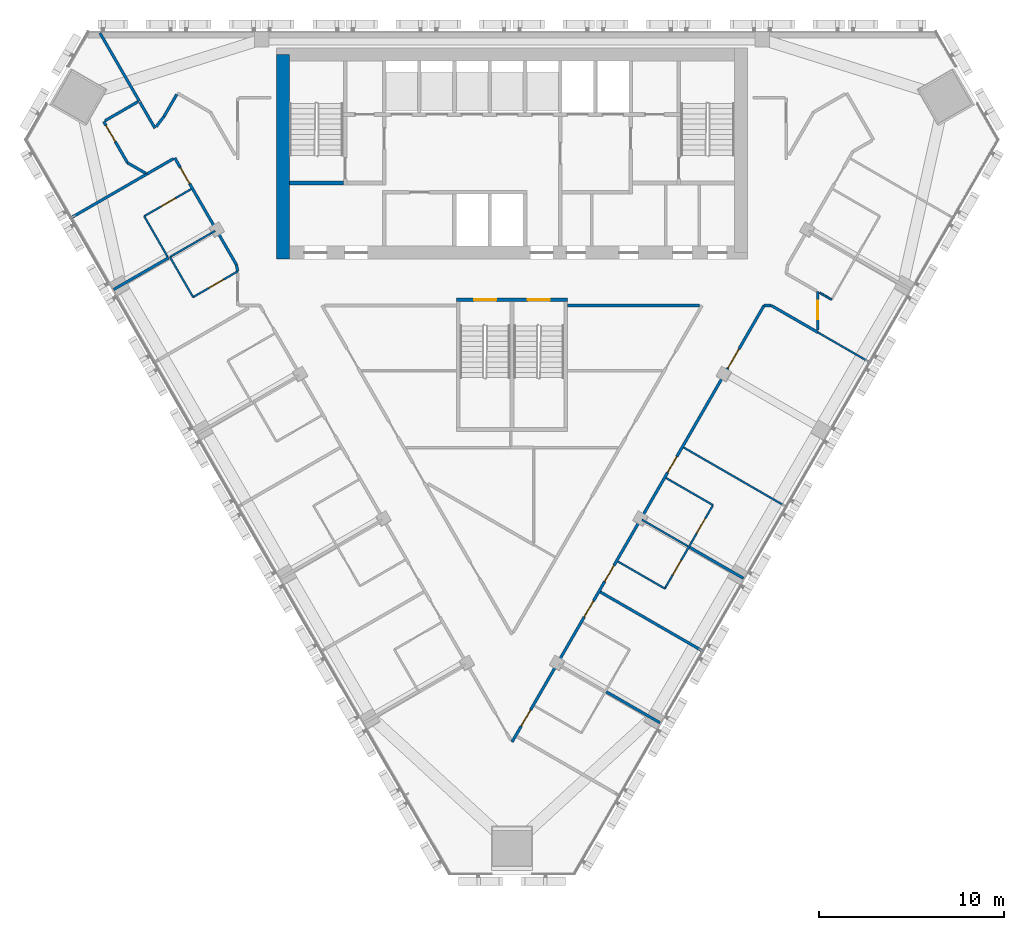
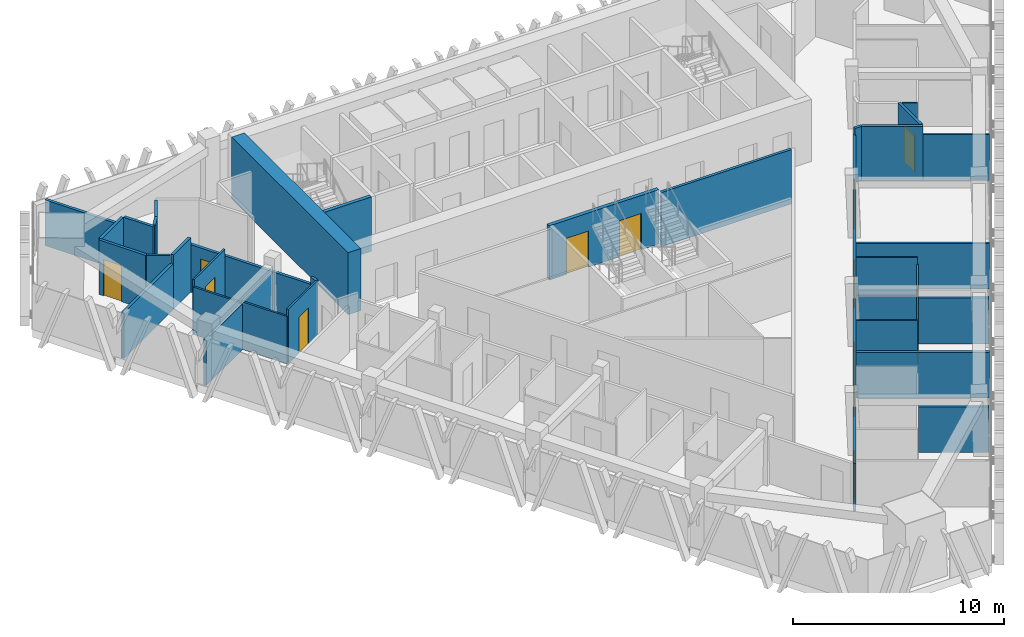
# One storey, part 10 of 16: 35 walls, 14 doors, 14 openings.
"""IFC4 building model written with IfcOpenShell, lengths in metres."""

from ifc_helpers import new_model, si_unit, direction, frame, frame_2d, origin, place, context, subcontext, project, spatial, rectangle, extrude, material, layer, layer_set, type_object, element, fill, save


model = new_model("IFC4")

# Units and contexts
model_context = context("Model", 3, precision=1e-05, world=origin(), true_north=direction((0.0, 1.0)))
body_context = subcontext(model_context, "Body", "Model", "MODEL_VIEW")
ifc_project = project(units=[si_unit("LENGTHUNIT", "METRE"), si_unit("AREAUNIT", "SQUARE_METRE"), si_unit("VOLUMEUNIT", "CUBIC_METRE"), si_unit("PLANEANGLEUNIT", "RADIAN"), si_unit("MASSUNIT", "GRAM", prefix="KILO")], contexts=[model_context])

# Site, building, storey
site_placement = place(None, origin())
site = spatial("IfcSite", under=ifc_project, at=site_placement, CompositionType="ELEMENT")
building_placement = place(site_placement, origin())
building = spatial("IfcBuilding", under=site, at=building_placement, Name="Altiplano Prism Tower", CompositionType="ELEMENT")
storey_placement = place(building_placement, frame((0.0, 0.0, 178.199951171875)))
storey = spatial("IfcBuildingStorey", under=building, at=storey_placement, Name="L46", CompositionType="ELEMENT", Elevation=178.199951171875)

# Walls
ifc_material_1 = material(Name="Concrete C60/75", Category="concrete")
ifc_layer_1 = layer(ifc_material_1, 0.699951171875)
ifc_layer_set_1 = layer_set([ifc_layer_1], Name="Concrete C60/75")
wall_type_1 = type_object("IfcWallType", Name="Core wall 700", PredefinedType="SHEAR", material=ifc_layer_set_1)
wall_1_placement = place(storey_placement, frame((72.64990234375, 103.75, 0.0), z_axis=(0.0, 0.0, 1.0), x_axis=(0.0, -1.0, 0.0)))
element("IfcWall", 1, at=wall_1_placement, inside=storey, type_object=wall_type_1, Name="Core wall W L46", PredefinedType="SHEAR", context=body_context, shape_type="SweptSolid", body=[
    extrude(rectangle(XDim=11.050048828125, YDim=0.699951171875, at=frame_2d((5.52490234375, 0.0))), origin(), (0.0, 0.0, 1.0), 3.60009765625),
])
ifc_material_2 = material(Name="Plasterboard on steel stud", Category="steel")
ifc_layer_2 = layer(ifc_material_2, 0.10009765625)
ifc_layer_set_2 = layer_set([ifc_layer_2], Name="Plasterboard on steel stud")
wall_type_2 = type_object("IfcWallType", Name="Partition 100 unit", PredefinedType="PARTITIONING", material=ifc_layer_set_2)
wall_2_placement = place(storey_placement, frame((66.41650390625, 92.8251953125, 0.0), z_axis=(0.0, 0.0, 1.0), x_axis=(-0.499976333282, 0.866039067339, 0.0)))
element("IfcWall", 2, at=wall_2_placement, inside=storey, type_object=wall_type_2, Name="Partition P02 L46 045", PredefinedType="PARTITIONING", context=body_context, shape_type="SweptSolid", body=[
    extrude(rectangle(XDim=2.52490234375, YDim=0.10009765625, at=frame_2d((1.262451171875, 0.0))), origin(), (0.0, 0.0, 1.0), 2.75),
])

# Wall, opening, door
wall_3_placement = place(storey_placement, frame((65.154052734375, 95.011962890625, 0.0), z_axis=(0.0, 0.0, 1.0), x_axis=(0.866046596414, 0.499963291492, 0.0)))
wall_3 = element("IfcWall", 3, at=wall_3_placement, inside=storey, type_object=wall_type_2, Name="Partition P02 L46 046", PredefinedType="PARTITIONING", context=body_context, shape_type="SweptSolid", body=[
    extrude(rectangle(XDim=2.925048828125, YDim=0.10009765625, at=frame_2d((1.46240234375, 0.0))), origin(), (0.0, 0.0, 1.0), 3.150146484375),
])
opening_1_placement = place(wall_3_placement, frame((1.050048828125, 0.0, 0.0)))
opening_1 = element("IfcOpeningElement", 4, at=opening_1_placement, cuts=wall_3, Name="Opening D1618", PredefinedType="OPENING", context=body_context, shape_type="SweptSolid", body=[
    extrude(rectangle(XDim=0.89990234375, YDim=2.10009765625, at=frame_2d((0.449951171875, 1.050048828125))), frame((0.0, 0.060546875, 0.0), z_axis=(0.0, -1.0, 0.0), x_axis=(1.0, 0.0, 0.0)), (0.0, 0.0, 1.0), 0.12109375),
])
ifc_material_3 = material(Name="Timber", Category="wood")
door_type_1 = type_object("IfcDoorType", Name="Ensuite door 900 x 2100", OperationType="NOTDEFINED", PredefinedType="NOTDEFINED", material=ifc_material_3)
door_1_placement = place(opening_1_placement, origin())
door_1 = element("IfcDoor", 5, at=door_1_placement, inside=storey, type_object=door_type_1, Name="Door D1618", OperationType="SINGLE_SWING_LEFT", OverallHeight=2.10009765625, OverallWidth=0.89990234375, PredefinedType="NOTDEFINED", context=body_context, shape_type="SweptSolid", body=[
    extrude(rectangle(XDim=0.89990234375, YDim=2.10009765625, at=frame_2d((0.449951171875, 1.050048828125))), frame((0.0, 0.02490234375, 0.0), z_axis=(0.0, -1.0, 0.0), x_axis=(1.0, 0.0, 0.0)), (0.0, 0.0, 1.0), 0.050048828125),
])
fill(opening_1, door_1)

wall_4_placement = place(storey_placement, frame((70.199951171875, 92.0361328125, 0.0), z_axis=(0.0, 0.0, 1.0), x_axis=(-0.866036517529, -0.499980749935, 0.0)))
wall_4 = element("IfcWall", 6, at=wall_4_placement, inside=storey, type_object=wall_type_2, Name="Partition P02 L46 049", PredefinedType="PARTITIONING", context=body_context, shape_type="SweptSolid", body=[
    extrude(rectangle(XDim=2.78173828125, YDim=0.10009765625, at=frame_2d((1.390869140625, 0.0))), origin(), (0.0, 0.0, 1.0), 3.150146484375),
])
opening_2_placement = place(wall_4_placement, frame((0.885986328125, 0.0, 0.0)))
opening_2 = element("IfcOpeningElement", 7, at=opening_2_placement, cuts=wall_4, Name="Opening D1620", PredefinedType="OPENING", context=body_context, shape_type="SweptSolid", body=[
    extrude(rectangle(XDim=0.89990234375, YDim=2.10009765625, at=frame_2d((0.449951171875, 1.050048828125))), frame((0.0, 0.060546875, 0.0), z_axis=(0.0, -1.0, 0.0), x_axis=(1.0, 0.0, 0.0)), (0.0, 0.0, 1.0), 0.12109375),
])
door_2_placement = place(opening_2_placement, origin())
door_2 = element("IfcDoor", 8, at=door_2_placement, inside=storey, type_object=door_type_1, Name="Door D1620", OperationType="SINGLE_SWING_LEFT", OverallHeight=2.10009765625, OverallWidth=0.89990234375, PredefinedType="NOTDEFINED", context=body_context, shape_type="SweptSolid", body=[
    extrude(rectangle(XDim=0.89990234375, YDim=2.10009765625, at=frame_2d((0.449951171875, 1.050048828125))), frame((0.0, 0.02490234375, 0.0), z_axis=(0.0, -1.0, 0.0), x_axis=(1.0, 0.0, 0.0)), (0.0, 0.0, 1.0), 0.050048828125),
])
fill(opening_2, door_2)

# Walls
wall_5_placement = place(storey_placement, frame((67.790771484375, 90.645263671875, 0.0), z_axis=(0.0, 0.0, 1.0), x_axis=(-0.500004234368, 0.866022959057, 0.0)))
element("IfcWall", 9, at=wall_5_placement, inside=storey, type_object=wall_type_2, Name="Partition P02 L46 050", PredefinedType="PARTITIONING", context=body_context, shape_type="SweptSolid", body=[
    extrude(rectangle(XDim=2.5, YDim=0.10009765625, at=frame_2d((1.25, 0.0))), origin(), (0.0, 0.0, 1.0), 2.75),
])
for number, where, z_axis, x_axis, name in (
    (10, (93.245849609375, 74.920166015625, 0.0), (0.0, 0.0, 1.0), (-0.866046596414, 0.499963291492, 0.0), "Partition P02 L46 076"),
    (11, (93.312744140625, 80.885986328125, 0.0), (0.0, 0.0, 1.0), (0.866046596414, -0.499963291492, 0.0), "Partition P02 L46 079"),
):
    element("IfcWall", number, at=place(storey_placement, frame(where, z_axis=z_axis, x_axis=x_axis)), inside=storey, type_object=wall_type_2, Name=name, PredefinedType="PARTITIONING", context=body_context, shape_type="SweptSolid", body=[
        extrude(rectangle(XDim=2.925048828125, YDim=0.10009765625, at=frame_2d((1.46240234375, 0.0))), origin(), (0.0, 0.0, 1.0), 3.150146484375),
    ])

# Wall, openings, doors
wall_6_placement = place(storey_placement, frame((95.845947265625, 79.423583984375, 0.0), z_axis=(0.0, 0.0, 1.0), x_axis=(-0.500006934395, -0.866021400173, 0.0)))
wall_6 = element("IfcWall", 12, at=wall_6_placement, inside=storey, type_object=wall_type_2, Name="Partition P02 L46 080", PredefinedType="PARTITIONING", context=body_context, shape_type="SweptSolid", body=[
    extrude(rectangle(XDim=5.2001953125, YDim=0.10009765625, at=frame_2d((2.60009765625, 0.0))), origin(), (0.0, 0.0, 1.0), 2.75),
])
opening_3_placement = place(wall_6_placement, frame((3.449951171875, 0.0, 0.0)))
opening_3 = element("IfcOpeningElement", 13, at=opening_3_placement, cuts=wall_6, Name="Opening D1637", PredefinedType="OPENING", context=body_context, shape_type="SweptSolid", body=[
    extrude(rectangle(XDim=0.89990234375, YDim=2.10009765625, at=frame_2d((0.449951171875, 1.050048828125))), frame((0.0, 0.060546875, 0.0), z_axis=(0.0, -1.0, 0.0), x_axis=(1.0, 0.0, 0.0)), (0.0, 0.0, 1.0), 0.12109375),
])
opening_4_placement = place(wall_6_placement, frame((0.85009765625, 0.0, 0.0)))
opening_4 = element("IfcOpeningElement", 14, at=opening_4_placement, cuts=wall_6, Name="Opening D1639", PredefinedType="OPENING", context=body_context, shape_type="SweptSolid", body=[
    extrude(rectangle(XDim=0.89990234375, YDim=2.10009765625, at=frame_2d((0.449951171875, 1.050048828125))), frame((0.0, 0.060546875, 0.0), z_axis=(0.0, -1.0, 0.0), x_axis=(1.0, 0.0, 0.0)), (0.0, 0.0, 1.0), 0.12109375),
])
door_3_placement = place(opening_3_placement, origin())
door_3 = element("IfcDoor", 15, at=door_3_placement, inside=storey, type_object=door_type_1, Name="Door D1637", OperationType="SINGLE_SWING_RIGHT", OverallHeight=2.10009765625, OverallWidth=0.89990234375, PredefinedType="NOTDEFINED", context=body_context, shape_type="SweptSolid", body=[
    extrude(rectangle(XDim=0.89990234375, YDim=2.10009765625, at=frame_2d((0.449951171875, 1.050048828125))), frame((0.0, 0.02490234375, 0.0), z_axis=(0.0, -1.0, 0.0), x_axis=(1.0, 0.0, 0.0)), (0.0, 0.0, 1.0), 0.050048828125),
])
fill(opening_3, door_3)
door_4_placement = place(opening_4_placement, origin())
door_4 = element("IfcDoor", 16, at=door_4_placement, inside=storey, type_object=door_type_1, Name="Door D1639", OperationType="SINGLE_SWING_RIGHT", OverallHeight=2.10009765625, OverallWidth=0.89990234375, PredefinedType="NOTDEFINED", context=body_context, shape_type="SweptSolid", body=[
    extrude(rectangle(XDim=0.89990234375, YDim=2.10009765625, at=frame_2d((0.449951171875, 1.050048828125))), frame((0.0, 0.02490234375, 0.0), z_axis=(0.0, -1.0, 0.0), x_axis=(1.0, 0.0, 0.0)), (0.0, 0.0, 1.0), 0.050048828125),
])
fill(opening_4, door_4)

# Walls
wall_7_placement = place(storey_placement, frame((102.245849609375, 90.508544921875, 0.0), z_axis=(0.0, 0.0, 1.0), x_axis=(-0.865896584481, 0.500223055231, 0.0)))
element("IfcWall", 17, at=wall_7_placement, inside=storey, type_object=wall_type_2, Name="Partition P02 L46 083", PredefinedType="PARTITIONING", context=body_context, shape_type="SweptSolid", body=[
    extrude(rectangle(XDim=0.745849609375, YDim=0.10009765625, at=frame_2d((0.373046875, 0.0))), origin(), (0.0, 0.0, 1.0), 3.150146484375),
])
ifc_layer_3 = layer(ifc_material_2, 0.10009765625)
ifc_layer_set_3 = layer_set([ifc_layer_3], Name="Plasterboard on steel stud")
wall_type_3 = type_object("IfcWallType", Name="Partition 100 wet", PredefinedType="PARTITIONING", material=ifc_layer_set_3)
wall_8_placement = place(storey_placement, frame((66.540771484375, 92.810302734375, 0.0), z_axis=(0.0, 0.0, 1.0), x_axis=(0.866011447264, 0.500024172624, 0.0)))
element("IfcWall", 18, at=wall_8_placement, inside=storey, type_object=wall_type_3, Name="Partition P03 L46 048", PredefinedType="PARTITIONING", context=body_context, shape_type="SweptSolid", body=[
    extrude(rectangle(XDim=2.824951171875, YDim=0.10009765625, at=frame_2d((1.41259765625, 0.0))), origin(), (0.0, 0.0, 1.0), 2.75),
])
wall_9_placement = place(storey_placement, frame((94.502685546875, 77.19677734375, 0.0), z_axis=(0.0, 0.0, 1.0), x_axis=(-0.866039941686, 0.499974818771, 0.0)))
element("IfcWall", 19, at=wall_9_placement, inside=storey, type_object=wall_type_3, Name="Partition P03 L46 078", PredefinedType="PARTITIONING", context=body_context, shape_type="SweptSolid", body=[
    extrude(rectangle(XDim=2.875244140625, YDim=0.10009765625, at=frame_2d((1.4375, 0.0))), origin(), (0.0, 0.0, 1.0), 2.75),
])
wall_10_placement = place(storey_placement, frame((99.7578125, 79.35888671875, 0.0), z_axis=(0.0, 0.0, 1.0), x_axis=(-0.866025401434, 0.500000004071, 0.0)))
element("IfcWall", 20, at=wall_10_placement, inside=storey, type_object=wall_type_3, Name="Partition P03 L46 081", PredefinedType="PARTITIONING", context=body_context, shape_type="SweptSolid", body=[
    extrude(rectangle(XDim=6.34521484375, YDim=0.10009765625, at=frame_2d((3.172607421875, 0.0))), origin(), (0.0, 0.0, 1.0), 2.650146484375),
])
wall_11_placement = place(storey_placement, frame((104.2578125, 87.153076171875, 0.0), z_axis=(0.0, 0.0, 1.0), x_axis=(-0.866017059223, 0.500014452926, 0.0)))
element("IfcWall", 21, at=wall_11_placement, inside=storey, type_object=wall_type_3, Name="Partition P03 L46 082", PredefinedType="PARTITIONING", context=body_context, shape_type="SweptSolid", body=[
    extrude(rectangle(XDim=3.1845703125, YDim=0.10009765625, at=frame_2d((1.59228515625, 0.0))), origin(), (0.0, 0.0, 1.0), 2.650146484375),
])
ifc_layer_4 = layer(ifc_material_2, 0.14990234375)
ifc_layer_set_4 = layer_set([ifc_layer_4], Name="Plasterboard on steel stud")
wall_type_4 = type_object("IfcWallType", Name="Partition 150 corridor", PredefinedType="PARTITIONING", material=ifc_layer_set_4)
wall_12_placement = place(storey_placement, frame((64.81982421875, 101.193359375, 0.0), z_axis=(0.0, 0.0, 1.0), x_axis=(-0.865774039155, -0.500435123793, 0.0)))
element("IfcWall", 22, at=wall_12_placement, inside=storey, type_object=wall_type_4, Name="Partition P06 L46 003", PredefinedType="PARTITIONING", context=body_context, shape_type="SweptSolid", body=[
    extrude(rectangle(XDim=2.065673828125, YDim=0.14990234375, at=frame_2d((1.03271484375, 0.0))), origin(), (0.0, 0.0, 1.0), 3.150146484375),
])

# Wall, opening, door
wall_13_placement = place(storey_placement, frame((62.966552734375, 100.122314453125, 0.0), z_axis=(0.0, 0.0, 1.0), x_axis=(0.499988145349, -0.866032247962, 0.0)))
wall_13 = element("IfcWall", 23, at=wall_13_placement, inside=storey, type_object=wall_type_4, Name="Partition P06 L46 004", PredefinedType="PARTITIONING", context=body_context, shape_type="SweptSolid", body=[
    extrude(rectangle(XDim=2.57177734375, YDim=0.14990234375, at=frame_2d((1.285888671875, 0.0))), origin(), (0.0, 0.0, 1.0), 3.150146484375),
])
opening_5_placement = place(wall_13_placement, frame((0.24609375, 0.0, 0.0)))
opening_5 = element("IfcOpeningElement", 24, at=opening_5_placement, cuts=wall_13, Name="Opening D1616", PredefinedType="OPENING", context=body_context, shape_type="SweptSolid", body=[
    extrude(rectangle(XDim=1.0, YDim=2.10009765625, at=frame_2d((0.5, 1.050048828125))), frame((0.0, 0.08544921875, 0.0), z_axis=(0.0, -1.0, 0.0), x_axis=(1.0, 0.0, 0.0)), (0.0, 0.0, 1.0), 0.1708984375),
])
door_type_2 = type_object("IfcDoorType", Name="Room door 1000 x 2100", OperationType="NOTDEFINED", PredefinedType="NOTDEFINED", material=ifc_material_3)
door_5_placement = place(opening_5_placement, origin())
door_5 = element("IfcDoor", 25, at=door_5_placement, inside=storey, type_object=door_type_2, Name="Door D1616", OperationType="SINGLE_SWING_RIGHT", OverallHeight=2.10009765625, OverallWidth=1.0, PredefinedType="NOTDEFINED", context=body_context, shape_type="SweptSolid", body=[
    extrude(rectangle(XDim=1.0, YDim=2.10009765625, at=frame_2d((0.5, 1.050048828125))), frame((0.0, 0.02490234375, 0.0), z_axis=(0.0, -1.0, 0.0), x_axis=(1.0, 0.0, 0.0)), (0.0, 0.0, 1.0), 0.050048828125),
])
fill(opening_5, door_5)

# Walls
wall_14_placement = place(storey_placement, frame((64.25244140625, 97.89501953125, 0.0), z_axis=(0.0, 0.0, 1.0), x_axis=(0.865966686804, -0.500101687005, 0.0)))
element("IfcWall", 26, at=wall_14_placement, inside=storey, type_object=wall_type_4, Name="Partition P06 L46 005", PredefinedType="PARTITIONING", context=body_context, shape_type="SweptSolid", body=[
    extrude(rectangle(XDim=1.133056640625, YDim=0.14990234375, at=frame_2d((0.56640625, 0.0))), origin(), (0.0, 0.0, 1.0), 3.150146484375),
])
wall_15_placement = place(storey_placement, frame((65.3173828125, 97.300048828125, 0.0), z_axis=(0.0, 0.0, 1.0), x_axis=(0.866016967894, 0.500014611105, 0.0)))
element("IfcWall", 27, at=wall_15_placement, inside=storey, type_object=wall_type_4, Name="Partition P06 L46 006", PredefinedType="PARTITIONING", context=body_context, shape_type="SweptSolid", body=[
    extrude(rectangle(XDim=1.6396484375, YDim=0.14990234375, at=frame_2d((0.81982421875, 0.0))), origin(), (0.0, 0.0, 1.0), 3.150146484375),
])

# Wall, opening, door
wall_16_placement = place(storey_placement, frame((66.80224609375, 98.157470703125, 0.0), z_axis=(0.0, 0.0, 1.0), x_axis=(0.499982058975, -0.866035761792, 0.0)))
wall_16 = element("IfcWall", 28, at=wall_16_placement, inside=storey, type_object=wall_type_4, Name="Partition P06 L46 007", PredefinedType="PARTITIONING", context=body_context, shape_type="SweptSolid", body=[
    extrude(rectangle(XDim=6.648193359375, YDim=0.14990234375, at=frame_2d((3.32421875, 0.0))), origin(), (0.0, 0.0, 1.0), 2.75),
])
opening_6_placement = place(wall_16_placement, frame((0.60498046875, 0.0, 0.0)))
opening_6 = element("IfcOpeningElement", 29, at=opening_6_placement, cuts=wall_16, Name="Opening D1617", PredefinedType="OPENING", context=body_context, shape_type="SweptSolid", body=[
    extrude(rectangle(XDim=1.0, YDim=2.10009765625, at=frame_2d((0.5, 1.050048828125))), frame((0.0, 0.08544921875, 0.0), z_axis=(0.0, -1.0, 0.0), x_axis=(1.0, 0.0, 0.0)), (0.0, 0.0, 1.0), 0.1708984375),
])
door_type_3 = type_object("IfcDoorType", Name="Bedroom entrance door 1000 x 2100", OperationType="NOTDEFINED", PredefinedType="NOTDEFINED", material=ifc_material_3)
door_6_placement = place(opening_6_placement, origin())
door_6 = element("IfcDoor", 30, at=door_6_placement, inside=storey, type_object=door_type_3, Name="Door D1617", OperationType="SINGLE_SWING_RIGHT", OverallHeight=2.10009765625, OverallWidth=1.0, PredefinedType="NOTDEFINED", context=body_context, shape_type="SweptSolid", body=[
    extrude(rectangle(XDim=1.0, YDim=2.10009765625, at=frame_2d((0.5, 1.050048828125))), frame((0.0, 0.02490234375, 0.0), z_axis=(0.0, -1.0, 0.0), x_axis=(1.0, 0.0, 0.0)), (0.0, 0.0, 1.0), 0.050048828125),
])
fill(opening_6, door_6)

# Wall
wall_17_placement = place(storey_placement, frame((70.126220703125, 92.39990234375, 0.0), z_axis=(0.0, 0.0, 1.0), x_axis=(0.198645351923, -0.980071438294, 0.0)))
element("IfcWall", 31, at=wall_17_placement, inside=storey, type_object=wall_type_4, Name="Partition P06 L46 010", PredefinedType="PARTITIONING", context=body_context, shape_type="SweptSolid", body=[
    extrude(rectangle(XDim=0.37109375, YDim=0.14990234375, at=frame_2d((0.185546875, 0.0))), origin(), (0.0, 0.0, 1.0), 3.150146484375),
])

# Wall, openings, doors
wall_18_placement = place(storey_placement, frame((85.0, 66.637939453125, 0.0), z_axis=(0.0, 0.0, 1.0), x_axis=(0.499999498748, 0.866025693182, 0.0)))
wall_18 = element("IfcWall", 32, at=wall_18_placement, inside=storey, type_object=wall_type_4, Name="Partition P06 L46 012", PredefinedType="PARTITIONING", context=body_context, shape_type="SweptSolid", body=[
    extrude(rectangle(XDim=27.20703125, YDim=0.14990234375, at=frame_2d((13.603515625, 0.0))), origin(), (0.0, 0.0, 1.0), 2.75),
])
opening_7_placement = place(wall_18_placement, frame((1.0, 0.0, 0.0)))
opening_7 = element("IfcOpeningElement", 33, at=opening_7_placement, cuts=wall_18, Name="Opening D1632", PredefinedType="OPENING", context=body_context, shape_type="SweptSolid", body=[
    extrude(rectangle(XDim=1.0, YDim=2.10009765625, at=frame_2d((0.5, 1.050048828125))), frame((0.0, 0.08544921875, 0.0), z_axis=(0.0, -1.0, 0.0), x_axis=(1.0, 0.0, 0.0)), (0.0, 0.0, 1.0), 0.1708984375),
])
opening_8_placement = place(wall_18_placement, frame((7.791015625, 0.0, 0.0)))
opening_8 = element("IfcOpeningElement", 34, at=opening_8_placement, cuts=wall_18, Name="Opening D1634", PredefinedType="OPENING", context=body_context, shape_type="SweptSolid", body=[
    extrude(rectangle(XDim=1.0, YDim=2.10009765625, at=frame_2d((0.5, 1.050048828125))), frame((0.0, 0.08544921875, 0.0), z_axis=(0.0, -1.0, 0.0), x_axis=(1.0, 0.0, 0.0)), (0.0, 0.0, 1.0), 0.1708984375),
])
opening_9_placement = place(wall_18_placement, frame((10.0, 0.0, 0.0)))
opening_9 = element("IfcOpeningElement", 35, at=opening_9_placement, cuts=wall_18, Name="Opening D1636", PredefinedType="OPENING", context=body_context, shape_type="SweptSolid", body=[
    extrude(rectangle(XDim=1.0, YDim=2.10009765625, at=frame_2d((0.5, 1.050048828125))), frame((0.0, 0.08544921875, 0.0), z_axis=(0.0, -1.0, 0.0), x_axis=(1.0, 0.0, 0.0)), (0.0, 0.0, 1.0), 0.1708984375),
])
opening_10_placement = place(wall_18_placement, frame((16.791015625, 0.0, 0.0)))
opening_10 = element("IfcOpeningElement", 36, at=opening_10_placement, cuts=wall_18, Name="Opening D1638", PredefinedType="OPENING", context=body_context, shape_type="SweptSolid", body=[
    extrude(rectangle(XDim=1.0, YDim=2.10009765625, at=frame_2d((0.5, 1.050048828125))), frame((0.0, 0.08544921875, 0.0), z_axis=(0.0, -1.0, 0.0), x_axis=(1.0, 0.0, 0.0)), (0.0, 0.0, 1.0), 0.1708984375),
])
opening_11_placement = place(wall_18_placement, frame((23.29296875, 0.0, 0.0)))
opening_11 = element("IfcOpeningElement", 37, at=opening_11_placement, cuts=wall_18, Name="Opening D1640", PredefinedType="OPENING", context=body_context, shape_type="SweptSolid", body=[
    extrude(rectangle(XDim=1.199951171875, YDim=2.10009765625, at=frame_2d((0.60009765625, 1.050048828125))), frame((0.0, 0.08544921875, 0.0), z_axis=(0.0, -1.0, 0.0), x_axis=(1.0, 0.0, 0.0)), (0.0, 0.0, 1.0), 0.1708984375),
])
door_7_placement = place(opening_7_placement, origin())
door_7 = element("IfcDoor", 38, at=door_7_placement, inside=storey, type_object=door_type_3, Name="Door D1632", OperationType="SINGLE_SWING_LEFT", OverallHeight=2.10009765625, OverallWidth=1.0, PredefinedType="NOTDEFINED", context=body_context, shape_type="SweptSolid", body=[
    extrude(rectangle(XDim=1.0, YDim=2.10009765625, at=frame_2d((0.5, 1.050048828125))), frame((0.0, 0.02490234375, 0.0), z_axis=(0.0, -1.0, 0.0), x_axis=(1.0, 0.0, 0.0)), (0.0, 0.0, 1.0), 0.050048828125),
])
fill(opening_7, door_7)
door_8_placement = place(opening_8_placement, origin())
door_8 = element("IfcDoor", 39, at=door_8_placement, inside=storey, type_object=door_type_3, Name="Door D1634", OperationType="SINGLE_SWING_RIGHT", OverallHeight=2.10009765625, OverallWidth=1.0, PredefinedType="NOTDEFINED", context=body_context, shape_type="SweptSolid", body=[
    extrude(rectangle(XDim=1.0, YDim=2.10009765625, at=frame_2d((0.5, 1.050048828125))), frame((0.0, 0.02490234375, 0.0), z_axis=(0.0, -1.0, 0.0), x_axis=(1.0, 0.0, 0.0)), (0.0, 0.0, 1.0), 0.050048828125),
])
fill(opening_8, door_8)
door_9_placement = place(opening_9_placement, origin())
door_9 = element("IfcDoor", 40, at=door_9_placement, inside=storey, type_object=door_type_3, Name="Door D1636", OperationType="SINGLE_SWING_RIGHT", OverallHeight=2.10009765625, OverallWidth=1.0, PredefinedType="NOTDEFINED", context=body_context, shape_type="SweptSolid", body=[
    extrude(rectangle(XDim=1.0, YDim=2.10009765625, at=frame_2d((0.5, 1.050048828125))), frame((0.0, 0.02490234375, 0.0), z_axis=(0.0, -1.0, 0.0), x_axis=(1.0, 0.0, 0.0)), (0.0, 0.0, 1.0), 0.050048828125),
])
fill(opening_9, door_9)
door_10_placement = place(opening_10_placement, origin())
door_10 = element("IfcDoor", 41, at=door_10_placement, inside=storey, type_object=door_type_3, Name="Door D1638", OperationType="SINGLE_SWING_LEFT", OverallHeight=2.10009765625, OverallWidth=1.0, PredefinedType="NOTDEFINED", context=body_context, shape_type="SweptSolid", body=[
    extrude(rectangle(XDim=1.0, YDim=2.10009765625, at=frame_2d((0.5, 1.050048828125))), frame((0.0, 0.02490234375, 0.0), z_axis=(0.0, -1.0, 0.0), x_axis=(1.0, 0.0, 0.0)), (0.0, 0.0, 1.0), 0.050048828125),
])
fill(opening_10, door_10)
door_type_4 = type_object("IfcDoorType", Name="Shared room door 1200 x 2100", OperationType="NOTDEFINED", PredefinedType="NOTDEFINED", material=ifc_material_3)
door_11_placement = place(opening_11_placement, origin())
door_11 = element("IfcDoor", 42, at=door_11_placement, inside=storey, type_object=door_type_4, Name="Door D1640", OperationType="SINGLE_SWING_LEFT", OverallHeight=2.10009765625, OverallWidth=1.199951171875, PredefinedType="NOTDEFINED", context=body_context, shape_type="SweptSolid", body=[
    extrude(rectangle(XDim=1.199951171875, YDim=2.10009765625, at=frame_2d((0.60009765625, 1.050048828125))), frame((0.0, 0.02490234375, 0.0), z_axis=(0.0, -1.0, 0.0), x_axis=(1.0, 0.0, 0.0)), (0.0, 0.0, 1.0), 0.050048828125),
])
fill(opening_11, door_11)

# Walls
wall_19_placement = place(storey_placement, frame((98.603515625, 90.199951171875, 0.0), z_axis=(0.0, 0.0, 1.0), x_axis=(1.0, 0.0, 0.0)))
element("IfcWall", 43, at=wall_19_placement, inside=storey, type_object=wall_type_4, Name="Partition P06 L46 013", PredefinedType="PARTITIONING", context=body_context, shape_type="SweptSolid", body=[
    extrude(rectangle(XDim=0.376953125, YDim=0.14990234375, at=frame_2d((0.1884765625, 0.0))), origin(), (0.0, 0.0, 1.0), 3.150146484375),
])
wall_20_placement = place(storey_placement, frame((98.98046875, 90.199951171875, 0.0), z_axis=(0.0, 0.0, 1.0), x_axis=(0.866034304969, -0.49998458238, 0.0)))
element("IfcWall", 44, at=wall_20_placement, inside=storey, type_object=wall_type_4, Name="Partition P06 L46 014", PredefinedType="PARTITIONING", context=body_context, shape_type="SweptSolid", body=[
    extrude(rectangle(XDim=2.92919921875, YDim=0.14990234375, at=frame_2d((1.464599609375, 0.0))), origin(), (0.0, 0.0, 1.0), 3.150146484375),
])

# Wall, opening, door
wall_21_placement = place(storey_placement, frame((101.5, 88.875244140625, 0.0), z_axis=(0.0, 0.0, 1.0), x_axis=(0.0, 1.0, 0.0)))
wall_21 = element("IfcWall", 45, at=wall_21_placement, inside=storey, type_object=wall_type_4, Name="Partition P06 L46 015", PredefinedType="PARTITIONING", context=body_context, shape_type="SweptSolid", body=[
    extrude(rectangle(XDim=2.06396484375, YDim=0.14990234375, at=frame_2d((1.031982421875, 0.0))), origin(), (0.0, 0.0, 1.0), 3.150146484375),
])
opening_12_placement = place(wall_21_placement, frame((0.575927734375, 0.0, 0.0)))
opening_12 = element("IfcOpeningElement", 46, at=opening_12_placement, cuts=wall_21, Name="Opening D1641", PredefinedType="OPENING", context=body_context, shape_type="SweptSolid", body=[
    extrude(rectangle(XDim=1.0, YDim=2.10009765625, at=frame_2d((0.5, 1.050048828125))), frame((0.0, 0.08544921875, 0.0), z_axis=(0.0, -1.0, 0.0), x_axis=(1.0, 0.0, 0.0)), (0.0, 0.0, 1.0), 0.1708984375),
])
door_12_placement = place(opening_12_placement, origin())
door_12 = element("IfcDoor", 47, at=door_12_placement, inside=storey, type_object=door_type_3, Name="Door D1641", OperationType="SINGLE_SWING_RIGHT", OverallHeight=2.10009765625, OverallWidth=1.0, PredefinedType="NOTDEFINED", context=body_context, shape_type="SweptSolid", body=[
    extrude(rectangle(XDim=1.0, YDim=2.10009765625, at=frame_2d((0.5, 1.050048828125))), frame((0.0, 0.02490234375, 0.0), z_axis=(0.0, -1.0, 0.0), x_axis=(1.0, 0.0, 0.0)), (0.0, 0.0, 1.0), 0.050048828125),
])
fill(opening_12, door_12)

# Walls
wall_22_placement = place(storey_placement, frame((66.909423828125, 101.5859375, 0.0), z_axis=(0.0, 0.0, 1.0), x_axis=(-0.499958106649, -0.866049589571, 0.0)))
element("IfcWall", 48, at=wall_22_placement, inside=storey, type_object=wall_type_4, Name="Partition P06 L46 029", PredefinedType="PARTITIONING", context=body_context, shape_type="SweptSolid", body=[
    extrude(rectangle(XDim=1.375, YDim=0.14990234375, at=frame_2d((0.6875, 0.0))), origin(), (0.0, 0.0, 1.0), 3.150146484375),
])
wall_23_placement = place(storey_placement, frame((66.221923828125, 100.39501953125, 0.0), z_axis=(0.0, 0.0, 1.0), x_axis=(-0.607962851569, -0.793965472242, 0.0)))
element("IfcWall", 49, at=wall_23_placement, inside=storey, type_object=wall_type_4, Name="Partition P06 L46 030", PredefinedType="PARTITIONING", context=body_context, shape_type="SweptSolid", body=[
    extrude(rectangle(XDim=0.689208984375, YDim=0.14990234375, at=frame_2d((0.3447265625, 0.0))), origin(), (0.0, 0.0, 1.0), 3.150146484375),
])
wall_24_placement = place(storey_placement, frame((65.734619140625, 99.758544921875, 0.0), z_axis=(0.0, 0.0, 1.0), x_axis=(-0.499839503961, 0.866118046389, 0.0)))
element("IfcWall", 50, at=wall_24_placement, inside=storey, type_object=wall_type_4, Name="Partition P06 L46 031", PredefinedType="PARTITIONING", context=body_context, shape_type="SweptSolid", body=[
    extrude(rectangle(XDim=1.625, YDim=0.14990234375, at=frame_2d((0.8125, 0.0))), origin(), (0.0, 0.0, 1.0), 3.150146484375),
])
wall_25_placement = place(storey_placement, frame((88.0, 90.199951171875, 0.0), z_axis=(0.0, 0.0, 1.0), x_axis=(1.0, 0.0, 0.0)))
element("IfcWall", 51, at=wall_25_placement, inside=storey, type_object=wall_type_4, Name="Partition P06 L46 032", PredefinedType="PARTITIONING", context=body_context, shape_type="SweptSolid", body=[
    extrude(rectangle(XDim=7.125, YDim=0.14990234375, at=frame_2d((3.5625, 0.0))), origin(), (0.0, 0.0, 1.0), 3.150146484375),
])
ifc_layer_5 = layer(ifc_material_2, 0.14990234375)
ifc_layer_set_5 = layer_set([ifc_layer_5], Name="Plasterboard on steel stud")
wall_type_5 = type_object("IfcWallType", Name="Partition 150 party", PredefinedType="PARTITIONING", material=ifc_layer_set_5)
wall_26_placement = place(storey_placement, frame((61.2421875, 94.947265625, 0.0), z_axis=(0.0, 0.0, 1.0), x_axis=(0.866028339916, 0.499994914436, 0.0)))
element("IfcWall", 52, at=wall_26_placement, inside=storey, type_object=wall_type_5, Name="Partition P01 L46 043", PredefinedType="PARTITIONING", context=body_context, shape_type="SweptSolid", body=[
    extrude(rectangle(XDim=4.70556640625, YDim=0.14990234375, at=frame_2d((2.352783203125, 0.0))), origin(), (0.0, 0.0, 1.0), 2.650146484375),
])
wall_27_placement = place(storey_placement, frame((64.894775390625, 101.213623046875, 0.0), z_axis=(0.0, 0.0, 1.0), x_axis=(-0.500025305846, 0.866010792954, 0.0)))
element("IfcWall", 53, at=wall_27_placement, inside=storey, type_object=wall_type_5, Name="Partition P01 L46 044", PredefinedType="PARTITIONING", context=body_context, shape_type="SweptSolid", body=[
    extrude(rectangle(XDim=4.256591796875, YDim=0.14990234375, at=frame_2d((2.12841796875, 0.0))), origin(), (0.0, 0.0, 1.0), 2.650146484375),
])
wall_28_placement = place(storey_placement, frame((63.509521484375, 91.060302734375, 0.0), z_axis=(0.0, 0.0, 1.0), x_axis=(0.866038183914, 0.499977863513, 0.0)))
element("IfcWall", 54, at=wall_28_placement, inside=storey, type_object=wall_type_5, Name="Partition P01 L46 047", PredefinedType="PARTITIONING", context=body_context, shape_type="SweptSolid", body=[
    extrude(rectangle(XDim=3.420166015625, YDim=0.14990234375, at=frame_2d((1.7099609375, 0.0))), origin(), (0.0, 0.0, 1.0), 2.650146484375),
])
wall_29_placement = place(storey_placement, frame((92.990478515625, 67.677490234375, 0.0), z_axis=(0.0, 0.0, 1.0), x_axis=(-0.866032680314, 0.499987396469, 0.0)))
element("IfcWall", 55, at=wall_29_placement, inside=storey, type_object=wall_type_5, Name="Partition P01 L46 071", PredefinedType="PARTITIONING", context=body_context, shape_type="SweptSolid", body=[
    extrude(rectangle(XDim=3.35009765625, YDim=0.14990234375, at=frame_2d((1.675048828125, 0.0))), origin(), (0.0, 0.0, 1.0), 2.650146484375),
])
wall_30_placement = place(storey_placement, frame((95.2578125, 71.564697265625, 0.0), z_axis=(0.0, 0.0, 1.0), x_axis=(-0.866025401434, 0.500000004071, 0.0)))
element("IfcWall", 56, at=wall_30_placement, inside=storey, type_object=wall_type_5, Name="Partition P01 L46 075", PredefinedType="PARTITIONING", context=body_context, shape_type="SweptSolid", body=[
    extrude(rectangle(XDim=6.34521484375, YDim=0.14990234375, at=frame_2d((3.172607421875, 0.0))), origin(), (0.0, 0.0, 1.0), 2.650146484375),
])
wall_31_placement = place(storey_placement, frame((97.490478515625, 75.471923828125, 0.0), z_axis=(0.0, 0.0, 1.0), x_axis=(-0.866064234506, 0.499932737185, 0.0)))
element("IfcWall", 57, at=wall_31_placement, inside=storey, type_object=wall_type_5, Name="Partition P01 L46 077", PredefinedType="PARTITIONING", context=body_context, shape_type="SweptSolid", body=[
    extrude(rectangle(XDim=3.35009765625, YDim=0.14990234375, at=frame_2d((1.675048828125, 0.0))), origin(), (0.0, 0.0, 1.0), 2.650146484375),
])
ifc_layer_6 = layer(ifc_material_1, 0.199951171875)
ifc_layer_set_6 = layer_set([ifc_layer_6], Name="Concrete C60/75")
wall_type_6 = type_object("IfcWallType", Name="Stair wall 200", PredefinedType="SOLIDWALL", material=ifc_layer_set_6)
wall_32_placement = place(storey_placement, frame((73.0, 96.800048828125, 0.0), z_axis=(0.0, 0.0, 1.0), x_axis=(1.0, 0.0, 0.0)))
element("IfcWall", 58, at=wall_32_placement, inside=storey, type_object=wall_type_6, Name="Stair wall L46", PredefinedType="SOLIDWALL", context=body_context, shape_type="SweptSolid", body=[
    extrude(rectangle(XDim=2.89990234375, YDim=0.199951171875, at=frame_2d((1.449951171875, 0.0))), origin(), (0.0, 0.0, 1.0), 3.150146484375),
])

# Wall, openings, doors
wall_33_placement = place(storey_placement, frame((82.0, 90.5, 0.0), z_axis=(0.0, 0.0, 1.0), x_axis=(1.0, 0.0, 0.0)))
wall_33 = element("IfcWall", 59, at=wall_33_placement, inside=storey, type_object=wall_type_6, Name="Stair 3 wall north L46", PredefinedType="SOLIDWALL", context=body_context, shape_type="SweptSolid", body=[
    extrude(rectangle(XDim=6.0, YDim=0.199951171875, at=frame_2d((3.0, 0.0))), origin(), (0.0, 0.0, 1.0), 3.150146484375),
])
opening_13_placement = place(wall_33_placement, frame((0.949951171875, 0.0, 0.0)))
opening_13 = element("IfcOpeningElement", 60, at=opening_13_placement, cuts=wall_33, Name="Opening D4014", PredefinedType="OPENING", context=body_context, shape_type="SweptSolid", body=[
    extrude(rectangle(XDim=1.199951171875, YDim=2.10009765625, at=frame_2d((0.60009765625, 1.050048828125))), frame((0.0, 0.1103515625, 0.0), z_axis=(0.0, -1.0, 0.0), x_axis=(1.0, 0.0, 0.0)), (0.0, 0.0, 1.0), 0.220947265625),
])
opening_14_placement = place(wall_33_placement, frame((3.85009765625, 0.0, 0.0)))
opening_14 = element("IfcOpeningElement", 61, at=opening_14_placement, cuts=wall_33, Name="Opening D4015", PredefinedType="OPENING", context=body_context, shape_type="SweptSolid", body=[
    extrude(rectangle(XDim=1.199951171875, YDim=2.10009765625, at=frame_2d((0.60009765625, 1.050048828125))), frame((0.0, 0.1103515625, 0.0), z_axis=(0.0, -1.0, 0.0), x_axis=(1.0, 0.0, 0.0)), (0.0, 0.0, 1.0), 0.220947265625),
])
ifc_material_4 = material(Name="Fire-rated steel door", Category="steel")
door_type_5 = type_object("IfcDoorType", Name="Stair fire door 1200 x 2100", OperationType="NOTDEFINED", PredefinedType="NOTDEFINED", material=ifc_material_4)
door_13_placement = place(opening_13_placement, origin())
door_13 = element("IfcDoor", 62, at=door_13_placement, inside=storey, type_object=door_type_5, Name="Stair fire door D4014", OperationType="SINGLE_SWING_LEFT", OverallHeight=2.10009765625, OverallWidth=1.199951171875, PredefinedType="NOTDEFINED", context=body_context, shape_type="SweptSolid", body=[
    extrude(rectangle(XDim=1.199951171875, YDim=2.10009765625, at=frame_2d((0.60009765625, 1.050048828125))), frame((0.0, 0.02490234375, 0.0), z_axis=(0.0, -1.0, 0.0), x_axis=(1.0, 0.0, 0.0)), (0.0, 0.0, 1.0), 0.050048828125),
])
fill(opening_13, door_13)
door_14_placement = place(opening_14_placement, origin())
door_14 = element("IfcDoor", 63, at=door_14_placement, inside=storey, type_object=door_type_5, Name="Stair fire door D4015", OperationType="SINGLE_SWING_LEFT", OverallHeight=2.10009765625, OverallWidth=1.199951171875, PredefinedType="NOTDEFINED", context=body_context, shape_type="SweptSolid", body=[
    extrude(rectangle(XDim=1.199951171875, YDim=2.10009765625, at=frame_2d((0.60009765625, 1.050048828125))), frame((0.0, 0.02490234375, 0.0), z_axis=(0.0, -1.0, 0.0), x_axis=(1.0, 0.0, 0.0)), (0.0, 0.0, 1.0), 0.050048828125),
])
fill(opening_14, door_14)

save(model, "model.ifc")
